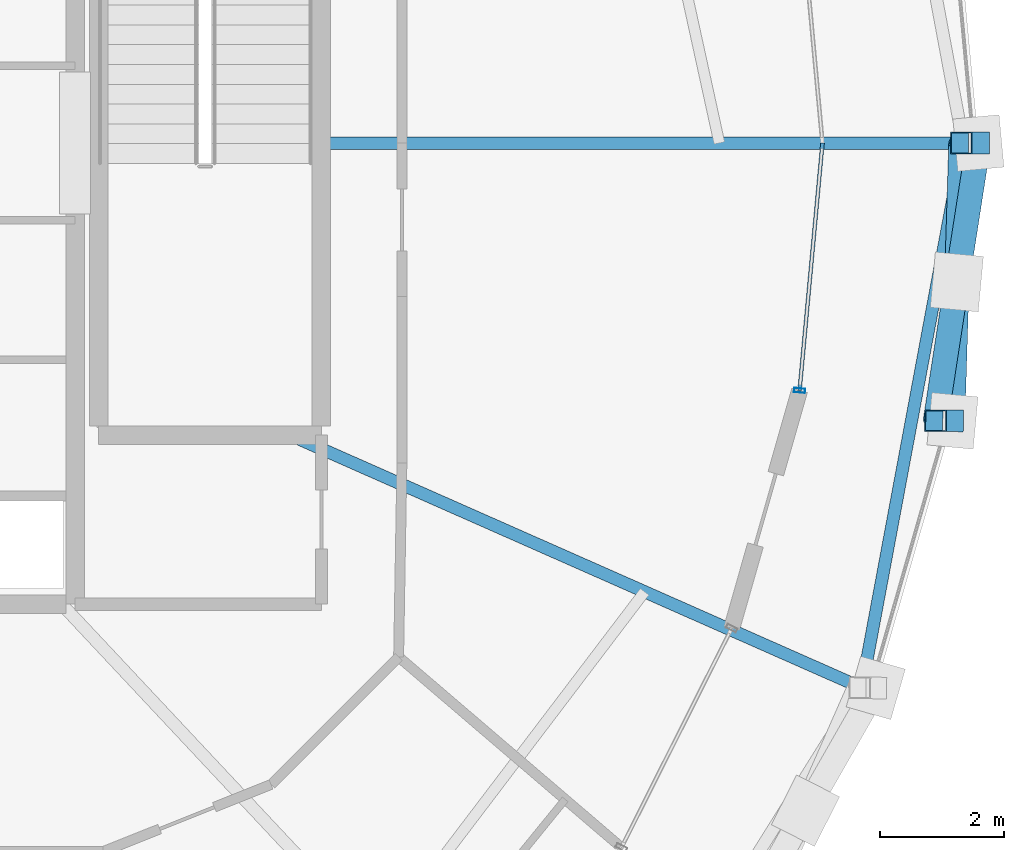
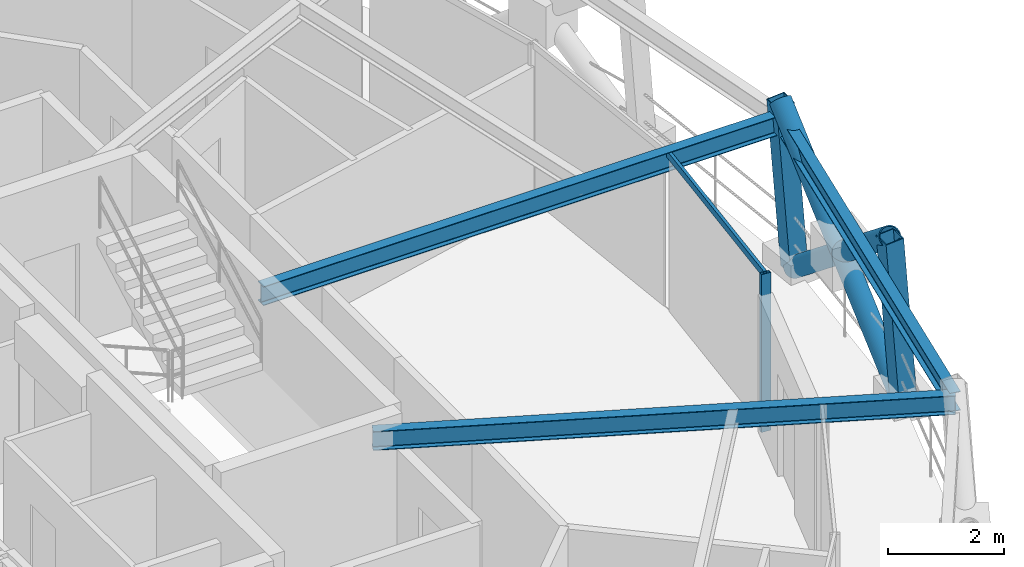
# One storey, part 5 of 15: 7 members, 3 beams, 1 element without a shape of its own.
"""IFC4 building model written with IfcOpenShell, lengths in metres."""

from ifc_helpers import new_model, si_unit, direction, frame, origin, origin_2d, place, context, subcontext, project, spatial, hollow_rectangle, hollow_circle, i_section, extrude, material, layer, layer_set, material_profile, profile_set, type_object, element, aggregate, save


model = new_model("IFC4")

# Units and contexts
model_context = context("Model", 3, precision=1e-05, world=origin(), true_north=direction((0.0, 1.0)))
body_context = subcontext(model_context, "Body", "Model", "MODEL_VIEW")
ifc_project = project(units=[si_unit("LENGTHUNIT", "METRE"), si_unit("AREAUNIT", "SQUARE_METRE"), si_unit("VOLUMEUNIT", "CUBIC_METRE"), si_unit("PLANEANGLEUNIT", "RADIAN"), si_unit("MASSUNIT", "GRAM", prefix="KILO")], contexts=[model_context])

# Site, building, storey
site_placement = place(None, origin())
site = spatial("IfcSite", under=ifc_project, at=site_placement, CompositionType="ELEMENT")
building_placement = place(site_placement, origin())
building = spatial("IfcBuilding", under=site, at=building_placement, Name="Veldorina Hangang Commons", CompositionType="ELEMENT")
storey_placement = place(building_placement, frame((0.0, 0.0, 265.199951171875)))
storey = spatial("IfcBuildingStorey", under=building, at=storey_placement, Name="L69", CompositionType="ELEMENT", Elevation=265.199951171875)

# Beams
ifc_material_1 = material(Name="Steel SM355-TMC", Category="steel")
ifc_material_profile_1 = material_profile(ifc_material_1, i_section(OverallWidth=0.199951171875, OverallDepth=0.39990234375, WebThickness=0.008056640625, FlangeThickness=0.012939453125, FilletRadius=0.012939453125, at=origin_2d()), Name="H-400x200x8x13")
ifc_profile_set_1 = profile_set([ifc_material_profile_1], Name="Steel SM355-TMC")
beam_type_1 = type_object("IfcBeamType", Name="BM-FG400", PredefinedType="BEAM", material=ifc_profile_set_1)
beam_1_placement = place(storey_placement, frame((43.179931640625, 24.0, 3.16015625), z_axis=(1.0, 0.0, 0.0), x_axis=(0.0, 1.0, 0.0)))
element("IfcBeam", 1, at=beam_1_placement, inside=storey, type_object=beam_type_1, Name="L69 radial floor girder 01", PredefinedType="BEAM", context=body_context, shape_type="SweptSolid", body=[
    extrude(i_section(OverallWidth=0.199951171875, OverallDepth=0.39990234375, WebThickness=0.008056640625, FlangeThickness=0.012939453125, FilletRadius=0.012939453125, at=origin_2d()), origin(), (0.0, 0.0, 1.0), 10.37109375),
])
beam_2_placement = place(storey_placement, frame((42.677734375, 19.280029296875, 3.16015625), z_axis=(0.914622550318, -0.404308781069, 0.0), x_axis=(0.404308781069, 0.914622550318, 0.0)))
element("IfcBeam", 2, at=beam_2_placement, inside=storey, type_object=beam_type_1, Name="L69 radial floor girder 16", PredefinedType="BEAM", context=body_context, shape_type="SweptSolid", body=[
    extrude(i_section(OverallWidth=0.199951171875, OverallDepth=0.39990234375, WebThickness=0.008056640625, FlangeThickness=0.012939453125, FilletRadius=0.012939453125, at=origin_2d()), origin(), (0.0, 0.0, 1.0), 10.094482421875),
])
ifc_material_profile_2 = material_profile(ifc_material_1, i_section(OverallWidth=0.199951171875, OverallDepth=0.39990234375, WebThickness=0.008056640625, FlangeThickness=0.012939453125, FilletRadius=0.012939453125, at=origin_2d()), Name="H-400x200x8x13")
ifc_profile_set_2 = profile_set([ifc_material_profile_2], Name="Steel SM355-TMC")
beam_type_2 = type_object("IfcBeamType", Name="BM-RB400", PredefinedType="BEAM", material=ifc_profile_set_2)
beam_3_placement = place(storey_placement, frame((51.910400390625, 15.19873046875, 3.16015625), z_axis=(0.183251161697, 0.983066127855, 0.0), x_axis=(-0.983066127855, 0.183251161697, 0.0)))
element("IfcBeam", 3, at=beam_3_placement, inside=storey, type_object=beam_type_2, Name="L69 perimeter hoop ring beam 30", PredefinedType="BEAM", context=body_context, shape_type="SweptSolid", body=[
    extrude(i_section(OverallWidth=0.199951171875, OverallDepth=0.39990234375, WebThickness=0.008056640625, FlangeThickness=0.012939453125, FilletRadius=0.012939453125, at=origin_2d()), origin(), (0.0, 0.0, 1.0), 8.952880859375),
])

# Curtain wall, members
ifc_material_2 = material(Name="Glass Low-E Selective", Category="glass")
ifc_layer = layer(ifc_material_2, 0.179931640625)
ifc_layer_set = layer_set([ifc_layer], Name="Glass Low-E Selective")
curtain_wall_type = type_object("IfcCurtainWallType", Name="CW-SYS-Z3", PredefinedType="NOTDEFINED", material=ifc_layer_set)
curtain_wall_placement = place(storey_placement, origin())
curtain_wall = element("IfcCurtainWall", 4, at=curtain_wall_placement, inside=storey, type_object=curtain_wall_type, Name="L69 unitised curtain wall CW-L69-R2", PredefinedType="NOTDEFINED")
ifc_material_3 = material(Name="Aluminium Anodized AA6063-T6", Category="aluminium")
ifc_material_profile_3 = material_profile(ifc_material_3, hollow_rectangle(XDim=0.070068359375, YDim=0.179931640625, WallThickness=0.00390625, at=origin_2d()), Name="ALU-RHS-180x70x4")
ifc_profile_set_3 = profile_set([ifc_material_profile_3], Name="Aluminium Anodized AA6063-T6")
member_type_1 = type_object("IfcMemberType", Name="CW-MUL-180", PredefinedType="MULLION", material=ifc_profile_set_3)
member_1_placement = place(storey_placement, frame((50.906005859375, 20.002685546875, 0.0), z_axis=(0.0, 0.0, 1.0), x_axis=(0.092266314894, 0.99573436575, 0.0)))
member_1 = element("IfcMember", 5, at=member_1_placement, type_object=member_type_1, Name="CW-L69-R2 vertical mullion 1", PredefinedType="MULLION", context=body_context, shape_type="SweptSolid", body=[
    extrude(hollow_rectangle(XDim=0.070068359375, YDim=0.179931640625, WallThickness=0.00390625, at=origin_2d()), origin(), (0.0, 0.0, 1.0), 3.320068359375),
])
ifc_material_profile_4 = material_profile(ifc_material_3, hollow_rectangle(XDim=0.06005859375, YDim=0.139892578125, WallThickness=0.00341796875, at=origin_2d()), Name="ALU-RHS-140x60x3.5")
ifc_profile_set_4 = profile_set([ifc_material_profile_4], Name="Aluminium Anodized AA6063-T6")
member_type_2 = type_object("IfcMemberType", Name="CW-TRN-140", PredefinedType="USERDEFINED", material=ifc_profile_set_4)
member_2_placement = place(storey_placement, frame((50.906005859375, 20.002685546875, 3.280029296875), z_axis=(0.092257392475, 0.995735192475, 0.0), x_axis=(-0.995735192475, 0.092257392475, 0.0)))
member_2 = element("IfcMember", 6, at=member_2_placement, type_object=member_type_2, Name="CW-L69-R2 facet 1 transom 1", ObjectType="TRANSOM", PredefinedType="USERDEFINED", context=body_context, shape_type="SweptSolid", body=[
    extrude(hollow_rectangle(XDim=0.06005859375, YDim=0.139892578125, WallThickness=0.00341796875, at=origin_2d()), origin(), (0.0, 0.0, 1.0), 4.014404296875),
])
aggregate(curtain_wall, [member_1, member_2])

# Members
ifc_material_profile_5 = material_profile(ifc_material_1, hollow_circle(Radius=0.199951171875, WallThickness=0.02001953125, at=origin_2d()), Name="CHS-400x20")
ifc_profile_set_5 = profile_set([ifc_material_profile_5], Name="Steel SM355-TMC")
member_type_3 = type_object("IfcMemberType", Name="DG-CHS400", PredefinedType="BRACE", material=ifc_profile_set_5)
member_3_placement = place(storey_placement, frame((53.377685546875, 19.510986328125, 0.0), z_axis=(0.024176620183, 0.779886868968, 0.625453405657), x_axis=(-0.999519840993, 0.030985278151, 0.0)))
element("IfcMember", 7, at=member_3_placement, inside=storey, type_object=member_type_3, Name="L69 continuous perimeter diagrid brace 31", PredefinedType="BRACE", context=body_context, shape_type="SweptSolid", body=[
    extrude(hollow_circle(Radius=0.199951171875, WallThickness=0.02001953125, at=origin_2d()), origin(), (0.0, 0.0, 1.0), 5.755859375),
])
member_4_placement = place(storey_placement, frame((53.79638671875, 24.0, 0.0), z_axis=(-0.120474032809, -0.77423521784, 0.621325868506), x_axis=(0.988109209991, -0.153753663796, 0.0)))
element("IfcMember", 8, at=member_4_placement, inside=storey, type_object=member_type_3, Name="L69 split perimeter diagrid lower brace 00", PredefinedType="BRACE", context=body_context, shape_type="SweptSolid", body=[
    extrude(hollow_circle(Radius=0.199951171875, WallThickness=0.02001953125, at=origin_2d()), origin(), (0.0, 0.0, 1.0), 2.89794921875),
])
member_5_placement = place(storey_placement, frame((53.447265625, 21.75634765625, 1.800537109375), z_axis=(-0.118694977676, -0.774467869255, 0.621378324184), x_axis=(0.988458605246, -0.151491206725, 0.0)))
element("IfcMember", 9, at=member_5_placement, inside=storey, type_object=member_type_3, Name="L69 split perimeter diagrid upper brace 00", PredefinedType="BRACE", context=body_context, shape_type="SweptSolid", body=[
    extrude(hollow_circle(Radius=0.199951171875, WallThickness=0.02001953125, at=origin_2d()), origin(), (0.0, 0.0, 1.0), 2.89599609375),
])
ifc_material_profile_6 = material_profile(ifc_material_1, hollow_rectangle(XDim=0.35009765625, YDim=0.35009765625, WallThickness=0.01611328125, at=origin_2d()), Name="SHS-350x350x16")
ifc_profile_set_6 = profile_set([ifc_material_profile_6], Name="Steel SM355-TMC")
member_type_4 = type_object("IfcMemberType", Name="STR-SHS350", PredefinedType="STRUT", material=ifc_profile_set_6)
member_6_placement = place(storey_placement, frame((53.79638671875, 24.0, 0.0), z_axis=(-0.077415149265, 0.0, 0.996998944164), x_axis=(0.0, -1.0, 0.0)))
element("IfcMember", 10, at=member_6_placement, inside=storey, type_object=member_type_4, Name="L69 perimeter ring node post 00", PredefinedType="STRUT", context=body_context, shape_type="SweptSolid", body=[
    extrude(hollow_rectangle(XDim=0.35009765625, YDim=0.35009765625, WallThickness=0.01611328125, at=origin_2d()), origin(), (0.0, 0.0, 1.0), 3.61083984375),
])
member_7_placement = place(storey_placement, frame((53.377685546875, 19.510986328125, 0.0), z_axis=(-0.07593633992, 0.000676191807, 0.997112438516), x_axis=(-0.008904366477, -0.999960355343, 0.0)))
element("IfcMember", 11, at=member_7_placement, inside=storey, type_object=member_type_4, Name="L69 perimeter ring node post 31", PredefinedType="STRUT", context=body_context, shape_type="SweptSolid", body=[
    extrude(hollow_rectangle(XDim=0.35009765625, YDim=0.35009765625, WallThickness=0.01611328125, at=origin_2d()), origin(), (0.0, 0.0, 1.0), 3.610595703125),
])

save(model, "model.ifc")
